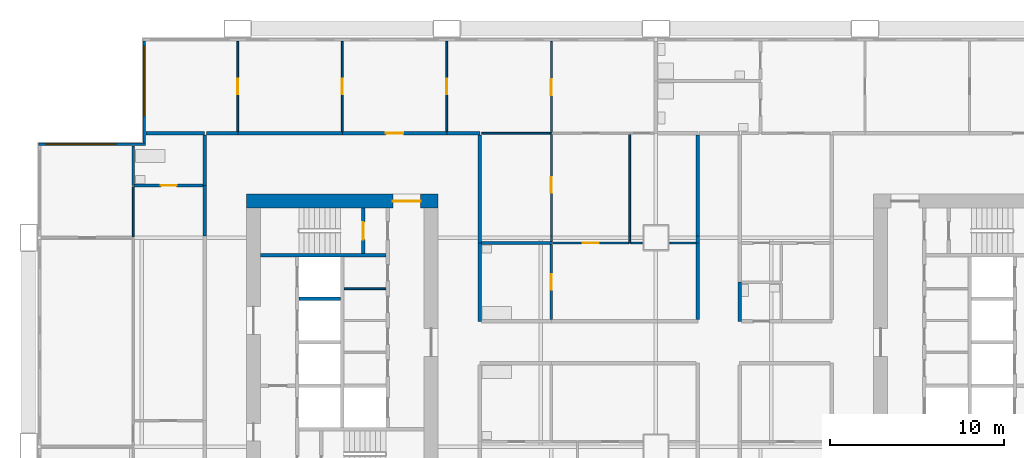
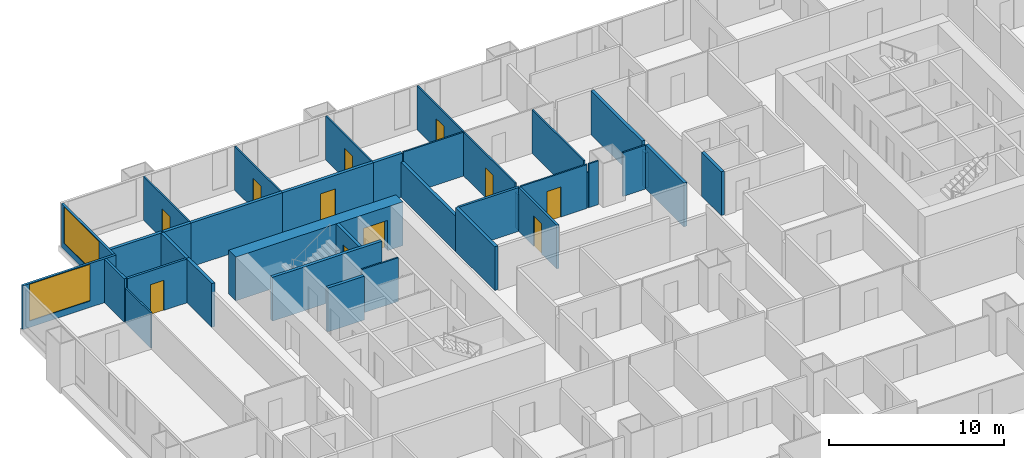
# One storey, part 8 of 14: 37 walls, 11 doors, 2 windows, 13 openings.
"""IFC4 building model written with IfcOpenShell, lengths in metres."""

from ifc_helpers import new_model, si_unit, direction, frame, frame_2d, origin, place, context, subcontext, project, spatial, rectangle, extrude, material, layer, layer_set, type_object, element, fill, save


model = new_model("IFC4")

# Units and contexts
model_context = context("Model", 3, precision=1e-05, world=origin(), true_north=direction((0.0, 1.0)))
body_context = subcontext(model_context, "Body", "Model", "MODEL_VIEW")
ifc_project = project(units=[si_unit("LENGTHUNIT", "METRE"), si_unit("AREAUNIT", "SQUARE_METRE"), si_unit("VOLUMEUNIT", "CUBIC_METRE"), si_unit("PLANEANGLEUNIT", "RADIAN"), si_unit("MASSUNIT", "GRAM", prefix="KILO")], contexts=[model_context])

# Site, building, storey
site_placement = place(None, origin())
site = spatial("IfcSite", under=ifc_project, at=site_placement, CompositionType="ELEMENT")
building_placement = place(site_placement, origin())
building = spatial("IfcBuilding", under=site, at=building_placement, Name="Kitamizu Gate Tower and Museum", CompositionType="ELEMENT")
storey_placement = place(building_placement, frame((0.0, 0.0, 74.85009765625)))
storey = spatial("IfcBuildingStorey", under=building, at=storey_placement, Name="L18", CompositionType="ELEMENT", Elevation=74.85009765625)

# Wall, opening, door
ifc_material_1 = material(Name="Concrete Fc60", Category="concrete")
ifc_layer_1 = layer(ifc_material_1, 0.800048828125)
ifc_layer_set_1 = layer_set([ifc_layer_1], Name="Concrete Fc60")
wall_type_1 = type_object("IfcWallType", Name="Core wall 800", PredefinedType="SHEAR", material=ifc_layer_set_1)
wall_1_placement = place(storey_placement, frame((12.5, 38.10009765625, 0.0), z_axis=(0.0, 0.0, 1.0), x_axis=(1.0, 0.0, 0.0)))
wall_1 = element("IfcWall", 1, at=wall_1_placement, inside=storey, type_object=wall_type_1, Name="Core wall WN", PredefinedType="SHEAR", context=body_context, shape_type="SweptSolid", body=[
    extrude(rectangle(XDim=11.0, YDim=0.800048828125, at=frame_2d((5.5, 0.0))), origin(), (0.0, 0.0, 1.0), 3.0498046875),
])
opening_1_placement = place(wall_1_placement, frame((8.39990234375, 0.0, 0.0)))
opening_1 = element("IfcOpeningElement", 2, at=opening_1_placement, cuts=wall_1, Name="Opening L18-078", PredefinedType="OPENING", context=body_context, shape_type="SweptSolid", body=[
    extrude(rectangle(XDim=1.60009765625, YDim=2.10009765625, at=frame_2d((0.800048828125, 1.050048828125))), frame((0.0, 0.41015625, 0.0), z_axis=(0.0, -1.0, 0.0), x_axis=(1.0, 0.0, 0.0)), (0.0, 0.0, 1.0), 0.820068359375),
])
ifc_material_2 = material(Name="Timber door set", Category="wood")
door_type_1 = type_object("IfcDoorType", Name="Entrance door 1600", OperationType="DOUBLE_DOOR_SINGLE_SWING", PredefinedType="DOOR", material=ifc_material_2)
door_1_placement = place(opening_1_placement, origin())
door_1 = element("IfcDoor", 3, at=door_1_placement, inside=storey, type_object=door_type_1, Name="Lobby door L18-078", OperationType="DOUBLE_DOOR_SINGLE_SWING", OverallHeight=2.10009765625, OverallWidth=1.60009765625, PredefinedType="DOOR", context=body_context, shape_type="SweptSolid", body=[
    extrude(rectangle(XDim=1.60009765625, YDim=2.10009765625, at=frame_2d((0.800048828125, 1.050048828125))), frame((0.0, 0.02490234375, 0.0), z_axis=(0.0, -1.0, 0.0), x_axis=(1.0, 0.0, 0.0)), (0.0, 0.0, 1.0), 0.050048828125),
])
fill(opening_1, door_1)

# Walls
ifc_material_3 = material(Name="Gypsum board on galvanised stud")
ifc_layer_2 = layer(ifc_material_3, 0.10009765625)
ifc_layer_set_2 = layer_set([ifc_layer_2], Name="Gypsum board on galvanised stud")
wall_type_2 = type_object("IfcWallType", Name="Partition 100", PredefinedType="PARTITIONING", material=ifc_layer_set_2)
wall_2_placement = place(storey_placement, frame((18.10009765625, 33.074951171875, 0.0), z_axis=(0.0, 0.0, 1.0), x_axis=(1.0, 0.0, 0.0)))
element("IfcWall", 4, at=wall_2_placement, inside=storey, type_object=wall_type_2, Name="Partition WPF3", PredefinedType="PARTITIONING", context=body_context, shape_type="SweptSolid", body=[
    extrude(rectangle(XDim=2.39990234375, YDim=0.10009765625, at=frame_2d((1.199951171875, 0.0))), origin(), (0.0, 0.0, 1.0), 3.0498046875),
])
ifc_material_4 = material(Name="Gypsum board on galvanised stud")
ifc_layer_3 = layer(ifc_material_4, 0.10009765625)
ifc_layer_set_3 = layer_set([ifc_layer_3], Name="Gypsum board on galvanised stud")
wall_type_3 = type_object("IfcWallType", Name="Partition 100 NOT RATED", PredefinedType="PARTITIONING", material=ifc_layer_set_3)
wall_3_placement = place(storey_placement, frame((6.0, 36.050048828125, 0.0), z_axis=(0.0, 0.0, 1.0), x_axis=(0.0, 1.0, 0.0)))
element("IfcWall", 5, at=wall_3_placement, inside=storey, type_object=wall_type_3, Name="Partition L18-060", PredefinedType="PARTITIONING", context=body_context, shape_type="SweptSolid", body=[
    extrude(rectangle(XDim=2.875, YDim=0.10009765625, at=frame_2d((1.4375, 0.0))), origin(), (0.0, 0.0, 1.0), 2.449951171875),
])

# Wall, opening, door
wall_4_placement = place(storey_placement, frame((12.0, 42.10009765625, 0.0), z_axis=(0.0, 0.0, 1.0), x_axis=(0.0, 1.0, 0.0)))
wall_4 = element("IfcWall", 6, at=wall_4_placement, inside=storey, type_object=wall_type_3, Name="Partition L18-140", PredefinedType="PARTITIONING", context=body_context, shape_type="SweptSolid", body=[
    extrude(rectangle(XDim=5.179931640625, YDim=0.10009765625, at=frame_2d((2.58984375, 0.0))), origin(), (0.0, 0.0, 1.0), 3.0498046875),
])
opening_2_placement = place(wall_4_placement, frame((2.139892578125, 0.0, 0.0)))
opening_2 = element("IfcOpeningElement", 7, at=opening_2_placement, cuts=wall_4, Name="Opening L18-059", PredefinedType="OPENING", context=body_context, shape_type="SweptSolid", body=[
    extrude(rectangle(XDim=0.89990234375, YDim=2.10009765625, at=frame_2d((0.449951171875, 1.050048828125))), frame((0.0, 0.06005859375, 0.0), z_axis=(0.0, -1.0, 0.0), x_axis=(1.0, 0.0, 0.0)), (0.0, 0.0, 1.0), 0.1201171875),
])
ifc_material_5 = material(Name="Timber door set", Category="wood")
door_type_2 = type_object("IfcDoorType", Name="Room door 900", OperationType="NOTDEFINED", PredefinedType="DOOR", material=ifc_material_5)
door_2_placement = place(opening_2_placement, origin())
door_2 = element("IfcDoor", 8, at=door_2_placement, inside=storey, type_object=door_type_2, Name="Door L18-059", OperationType="SINGLE_SWING_RIGHT", OverallHeight=2.10009765625, OverallWidth=0.89990234375, PredefinedType="DOOR", context=body_context, shape_type="SweptSolid", body=[
    extrude(rectangle(XDim=0.89990234375, YDim=2.10009765625, at=frame_2d((0.449951171875, 1.050048828125))), frame((0.0, 0.02490234375, 0.0), z_axis=(0.0, -1.0, 0.0), x_axis=(1.0, 0.0, 0.0)), (0.0, 0.0, 1.0), 0.050048828125),
])
fill(opening_2, door_2)

wall_5_placement = place(storey_placement, frame((18.0, 42.10009765625, 0.0), z_axis=(0.0, 0.0, 1.0), x_axis=(0.0, 1.0, 0.0)))
wall_5 = element("IfcWall", 9, at=wall_5_placement, inside=storey, type_object=wall_type_3, Name="Partition L18-142", PredefinedType="PARTITIONING", context=body_context, shape_type="SweptSolid", body=[
    extrude(rectangle(XDim=5.179931640625, YDim=0.10009765625, at=frame_2d((2.58984375, 0.0))), origin(), (0.0, 0.0, 1.0), 3.0498046875),
])
opening_3_placement = place(wall_5_placement, frame((2.139892578125, 0.0, 0.0)))
opening_3 = element("IfcOpeningElement", 10, at=opening_3_placement, cuts=wall_5, Name="Opening L18-056", PredefinedType="OPENING", context=body_context, shape_type="SweptSolid", body=[
    extrude(rectangle(XDim=0.89990234375, YDim=2.10009765625, at=frame_2d((0.449951171875, 1.050048828125))), frame((0.0, 0.06005859375, 0.0), z_axis=(0.0, -1.0, 0.0), x_axis=(1.0, 0.0, 0.0)), (0.0, 0.0, 1.0), 0.1201171875),
])
door_3_placement = place(opening_3_placement, origin())
door_3 = element("IfcDoor", 11, at=door_3_placement, inside=storey, type_object=door_type_2, Name="Door L18-056", OperationType="SINGLE_SWING_LEFT", OverallHeight=2.10009765625, OverallWidth=0.89990234375, PredefinedType="DOOR", context=body_context, shape_type="SweptSolid", body=[
    extrude(rectangle(XDim=0.89990234375, YDim=2.10009765625, at=frame_2d((0.449951171875, 1.050048828125))), frame((0.0, 0.02490234375, 0.0), z_axis=(0.0, -1.0, 0.0), x_axis=(1.0, 0.0, 0.0)), (0.0, 0.0, 1.0), 0.050048828125),
])
fill(opening_3, door_3)

wall_6_placement = place(storey_placement, frame((24.0, 42.10009765625, 0.0), z_axis=(0.0, 0.0, 1.0), x_axis=(0.0, 1.0, 0.0)))
wall_6 = element("IfcWall", 12, at=wall_6_placement, inside=storey, type_object=wall_type_3, Name="Partition L18-144", PredefinedType="PARTITIONING", context=body_context, shape_type="SweptSolid", body=[
    extrude(rectangle(XDim=5.179931640625, YDim=0.10009765625, at=frame_2d((2.58984375, 0.0))), origin(), (0.0, 0.0, 1.0), 3.0498046875),
])
opening_4_placement = place(wall_6_placement, frame((2.139892578125, 0.0, 0.0)))
opening_4 = element("IfcOpeningElement", 13, at=opening_4_placement, cuts=wall_6, Name="Opening L18-052", PredefinedType="OPENING", context=body_context, shape_type="SweptSolid", body=[
    extrude(rectangle(XDim=0.89990234375, YDim=2.10009765625, at=frame_2d((0.449951171875, 1.050048828125))), frame((0.0, 0.06005859375, 0.0), z_axis=(0.0, -1.0, 0.0), x_axis=(1.0, 0.0, 0.0)), (0.0, 0.0, 1.0), 0.1201171875),
])
door_4_placement = place(opening_4_placement, frame((0.89990234375, 0.0, 0.0), x_axis=(-1.0, 0.0, 0.0)))
door_4 = element("IfcDoor", 14, at=door_4_placement, inside=storey, type_object=door_type_2, Name="Door L18-052", OperationType="SINGLE_SWING_LEFT", OverallHeight=2.10009765625, OverallWidth=0.89990234375, PredefinedType="DOOR", context=body_context, shape_type="SweptSolid", body=[
    extrude(rectangle(XDim=0.89990234375, YDim=2.10009765625, at=frame_2d((0.449951171875, 1.050048828125))), frame((0.0, 0.02490234375, 0.0), z_axis=(0.0, -1.0, 0.0), x_axis=(1.0, 0.0, 0.0)), (0.0, 0.0, 1.0), 0.050048828125),
])
fill(opening_4, door_4)

wall_7_placement = place(storey_placement, frame((30.0, 42.0, 0.0), z_axis=(0.0, 0.0, 1.0), x_axis=(0.0, 1.0, 0.0)))
wall_7 = element("IfcWall", 15, at=wall_7_placement, inside=storey, type_object=wall_type_3, Name="Partition L18-146", PredefinedType="PARTITIONING", context=body_context, shape_type="SweptSolid", body=[
    extrude(rectangle(XDim=5.280029296875, YDim=0.10009765625, at=frame_2d((2.64013671875, 0.0))), origin(), (0.0, 0.0, 1.0), 3.0498046875),
])
opening_5_placement = place(wall_7_placement, frame((2.18994140625, 0.0, 0.0)))
opening_5 = element("IfcOpeningElement", 16, at=opening_5_placement, cuts=wall_7, Name="Opening L18-053", PredefinedType="OPENING", context=body_context, shape_type="SweptSolid", body=[
    extrude(rectangle(XDim=0.89990234375, YDim=2.10009765625, at=frame_2d((0.449951171875, 1.050048828125))), frame((0.0, 0.06005859375, 0.0), z_axis=(0.0, -1.0, 0.0), x_axis=(1.0, 0.0, 0.0)), (0.0, 0.0, 1.0), 0.1201171875),
])
door_5_placement = place(opening_5_placement, origin())
door_5 = element("IfcDoor", 17, at=door_5_placement, inside=storey, type_object=door_type_2, Name="Door L18-053", OperationType="SINGLE_SWING_LEFT", OverallHeight=2.10009765625, OverallWidth=0.89990234375, PredefinedType="DOOR", context=body_context, shape_type="SweptSolid", body=[
    extrude(rectangle(XDim=0.89990234375, YDim=2.10009765625, at=frame_2d((0.449951171875, 1.050048828125))), frame((0.0, 0.02490234375, 0.0), z_axis=(0.0, -1.0, 0.0), x_axis=(1.0, 0.0, 0.0)), (0.0, 0.0, 1.0), 0.050048828125),
])
fill(opening_5, door_5)

# Walls
wall_8_placement = place(storey_placement, frame((26.0, 42.0, 0.0), z_axis=(0.0, 0.0, 1.0), x_axis=(1.0, 0.0, 0.0)))
element("IfcWall", 18, at=wall_8_placement, inside=storey, type_object=wall_type_3, Name="Partition L18-147", PredefinedType="PARTITIONING", context=body_context, shape_type="SweptSolid", body=[
    extrude(rectangle(XDim=3.949951171875, YDim=0.10009765625, at=frame_2d((1.97509765625, 0.0))), origin(), (0.0, 0.0, 1.0), 3.0498046875),
])
wall_9_placement = place(storey_placement, frame((30.0, 35.77490234375, 0.0), z_axis=(0.0, 0.0, 1.0), x_axis=(0.0, 1.0, 0.0)))
element("IfcWall", 19, at=wall_9_placement, inside=storey, type_object=wall_type_3, Name="Partition L18-153", PredefinedType="PARTITIONING", context=body_context, shape_type="SweptSolid", body=[
    extrude(rectangle(XDim=0.3251953125, YDim=0.10009765625, at=frame_2d((0.16259765625, 0.0))), origin(), (0.0, 0.0, 1.0), 2.449951171875),
])

# Wall, opening, door
wall_10_placement = place(storey_placement, frame((30.0, 36.10009765625, 0.0), z_axis=(0.0, 0.0, 1.0), x_axis=(0.0, 1.0, 0.0)))
wall_10 = element("IfcWall", 20, at=wall_10_placement, inside=storey, type_object=wall_type_3, Name="Partition L18-154", PredefinedType="PARTITIONING", context=body_context, shape_type="SweptSolid", body=[
    extrude(rectangle(XDim=5.849853515625, YDim=0.10009765625, at=frame_2d((2.9248046875, 0.0))), origin(), (0.0, 0.0, 1.0), 3.0498046875),
])
opening_6_placement = place(wall_10_placement, frame((2.47509765625, 0.0, 0.0)))
opening_6 = element("IfcOpeningElement", 21, at=opening_6_placement, cuts=wall_10, Name="Opening L18-057", PredefinedType="OPENING", context=body_context, shape_type="SweptSolid", body=[
    extrude(rectangle(XDim=0.89990234375, YDim=2.10009765625, at=frame_2d((0.449951171875, 1.050048828125))), frame((0.0, 0.06005859375, 0.0), z_axis=(0.0, -1.0, 0.0), x_axis=(1.0, 0.0, 0.0)), (0.0, 0.0, 1.0), 0.1201171875),
])
door_6_placement = place(opening_6_placement, origin())
door_6 = element("IfcDoor", 22, at=door_6_placement, inside=storey, type_object=door_type_2, Name="Door L18-057", OperationType="SINGLE_SWING_RIGHT", OverallHeight=2.10009765625, OverallWidth=0.89990234375, PredefinedType="DOOR", context=body_context, shape_type="SweptSolid", body=[
    extrude(rectangle(XDim=0.89990234375, YDim=2.10009765625, at=frame_2d((0.449951171875, 1.050048828125))), frame((0.0, 0.02490234375, 0.0), z_axis=(0.0, -1.0, 0.0), x_axis=(1.0, 0.0, 0.0)), (0.0, 0.0, 1.0), 0.050048828125),
])
fill(opening_6, door_6)

# Walls
wall_11_placement = place(storey_placement, frame((34.5, 35.699951171875, 0.0), z_axis=(0.0, 0.0, 1.0), x_axis=(0.0, 1.0, 0.0)))
element("IfcWall", 23, at=wall_11_placement, inside=storey, type_object=wall_type_3, Name="Partition L18-157", PredefinedType="PARTITIONING", context=body_context, shape_type="SweptSolid", body=[
    extrude(rectangle(XDim=0.400146484375, YDim=0.10009765625, at=frame_2d((0.2001953125, 0.0))), origin(), (0.0, 0.0, 1.0), 2.449951171875),
])
wall_12_placement = place(storey_placement, frame((34.5, 36.10009765625, 0.0), z_axis=(0.0, 0.0, 1.0), x_axis=(0.0, 1.0, 0.0)))
element("IfcWall", 24, at=wall_12_placement, inside=storey, type_object=wall_type_3, Name="Partition L18-158", PredefinedType="PARTITIONING", context=body_context, shape_type="SweptSolid", body=[
    extrude(rectangle(XDim=5.849853515625, YDim=0.10009765625, at=frame_2d((2.9248046875, 0.0))), origin(), (0.0, 0.0, 1.0), 3.0498046875),
])

# Wall, opening, door
wall_13_placement = place(storey_placement, frame((30.074951171875, 35.699951171875, 0.0), z_axis=(0.0, 0.0, 1.0), x_axis=(1.0, 0.0, 0.0)))
wall_13 = element("IfcWall", 25, at=wall_13_placement, inside=storey, type_object=wall_type_3, Name="Partition L18-159", PredefinedType="PARTITIONING", context=body_context, shape_type="SweptSolid", body=[
    extrude(rectangle(XDim=4.375, YDim=0.10009765625, at=frame_2d((2.1875, 0.0))), origin(), (0.0, 0.0, 1.0), 3.0498046875),
])
opening_7_placement = place(wall_13_placement, frame((1.737548828125, 0.0, 0.0)))
opening_7 = element("IfcOpeningElement", 26, at=opening_7_placement, cuts=wall_13, Name="Opening L18-058", PredefinedType="OPENING", context=body_context, shape_type="SweptSolid", body=[
    extrude(rectangle(XDim=0.89990234375, YDim=2.10009765625, at=frame_2d((0.449951171875, 1.050048828125))), frame((0.0, 0.06005859375, 0.0), z_axis=(0.0, -1.0, 0.0), x_axis=(1.0, 0.0, 0.0)), (0.0, 0.0, 1.0), 0.1201171875),
])
door_7_placement = place(opening_7_placement, origin())
door_7 = element("IfcDoor", 27, at=door_7_placement, inside=storey, type_object=door_type_2, Name="Door L18-058", OperationType="SINGLE_SWING_LEFT", OverallHeight=2.10009765625, OverallWidth=0.89990234375, PredefinedType="DOOR", context=body_context, shape_type="SweptSolid", body=[
    extrude(rectangle(XDim=0.89990234375, YDim=2.10009765625, at=frame_2d((0.449951171875, 1.050048828125))), frame((0.0, 0.02490234375, 0.0), z_axis=(0.0, -1.0, 0.0), x_axis=(1.0, 0.0, 0.0)), (0.0, 0.0, 1.0), 0.050048828125),
])
fill(opening_7, door_7)

# Walls
wall_14_placement = place(storey_placement, frame((34.550048828125, 35.699951171875, 0.0), z_axis=(0.0, 0.0, 1.0), x_axis=(1.0, 0.0, 0.0)))
element("IfcWall", 28, at=wall_14_placement, inside=storey, type_object=wall_type_3, Name="Partition L18-160", PredefinedType="PARTITIONING", context=body_context, shape_type="SweptSolid", body=[
    extrude(rectangle(XDim=0.64990234375, YDim=0.10009765625, at=frame_2d((0.324951171875, 0.0))), origin(), (0.0, 0.0, 1.0), 3.0498046875),
])
wall_15_placement = place(storey_placement, frame((36.800048828125, 35.699951171875, 0.0), z_axis=(0.0, 0.0, 1.0), x_axis=(1.0, 0.0, 0.0)))
element("IfcWall", 29, at=wall_15_placement, inside=storey, type_object=wall_type_3, Name="Partition L18-161", PredefinedType="PARTITIONING", context=body_context, shape_type="SweptSolid", body=[
    extrude(rectangle(XDim=1.5, YDim=0.10009765625, at=frame_2d((0.75, 0.0))), origin(), (0.0, 0.0, 1.0), 3.0498046875),
])
ifc_material_6 = material(Name="Gypsum board on galvanised stud")
ifc_layer_4 = layer(ifc_material_6, 0.14990234375)
ifc_layer_set_4 = layer_set([ifc_layer_4], Name="Gypsum board on galvanised stud")
wall_type_4 = type_object("IfcWallType", Name="Partition 150", PredefinedType="PARTITIONING", material=ifc_layer_set_4)
wall_16_placement = place(storey_placement, frame((6.0, 39.0, 0.0), z_axis=(0.0, 0.0, 1.0), x_axis=(0.0, 1.0, 0.0)))
element("IfcWall", 30, at=wall_16_placement, inside=storey, type_object=wall_type_4, Name="Partition L18-061", PredefinedType="PARTITIONING", context=body_context, shape_type="SweptSolid", body=[
    extrude(rectangle(XDim=2.280029296875, YDim=0.14990234375, at=frame_2d((1.14013671875, 0.0))), origin(), (0.0, 0.0, 1.0), 3.0498046875),
])

# Wall, opening, door
wall_17_placement = place(storey_placement, frame((10.0, 39.0, 0.0), z_axis=(0.0, 0.0, 1.0), x_axis=(-1.0, 0.0, 0.0)))
wall_17 = element("IfcWall", 31, at=wall_17_placement, inside=storey, type_object=wall_type_4, Name="Partition L18-069", PredefinedType="PARTITIONING", context=body_context, shape_type="SweptSolid", body=[
    extrude(rectangle(XDim=3.925048828125, YDim=0.14990234375, at=frame_2d((1.96240234375, 0.0))), origin(), (0.0, 0.0, 1.0), 3.0498046875),
])
opening_8_placement = place(wall_17_placement, frame((1.512451171875, 0.0, 0.0)))
opening_8 = element("IfcOpeningElement", 32, at=opening_8_placement, cuts=wall_17, Name="Opening L18-025", PredefinedType="OPENING", context=body_context, shape_type="SweptSolid", body=[
    extrude(rectangle(XDim=0.89990234375, YDim=2.10009765625, at=frame_2d((0.449951171875, 1.050048828125))), frame((0.0, 0.0849609375, 0.0), z_axis=(0.0, -1.0, 0.0), x_axis=(1.0, 0.0, 0.0)), (0.0, 0.0, 1.0), 0.169921875),
])
ifc_material_7 = material(Name="Timber door set", Category="wood")
door_type_3 = type_object("IfcDoorType", Name="Bathroom door 900", OperationType="NOTDEFINED", PredefinedType="DOOR", material=ifc_material_7)
door_8_placement = place(opening_8_placement, frame((0.89990234375, 0.0, 0.0), x_axis=(-1.0, 0.0, 0.0)))
door_8 = element("IfcDoor", 33, at=door_8_placement, inside=storey, type_object=door_type_3, Name="Bathroom door L18-025", OperationType="SINGLE_SWING_LEFT", OverallHeight=2.10009765625, OverallWidth=0.89990234375, PredefinedType="DOOR", context=body_context, shape_type="SweptSolid", body=[
    extrude(rectangle(XDim=0.89990234375, YDim=2.10009765625, at=frame_2d((0.449951171875, 1.050048828125))), frame((0.0, 0.02490234375, 0.0), z_axis=(0.0, -1.0, 0.0), x_axis=(1.0, 0.0, 0.0)), (0.0, 0.0, 1.0), 0.050048828125),
])
fill(opening_8, door_8)

# Wall
wall_18_placement = place(storey_placement, frame((26.0, 35.699951171875, 0.0), z_axis=(0.0, 0.0, 1.0), x_axis=(1.0, 0.0, 0.0)))
element("IfcWall", 34, at=wall_18_placement, inside=storey, type_object=wall_type_4, Name="Partition L18-155", PredefinedType="PARTITIONING", context=body_context, shape_type="SweptSolid", body=[
    extrude(rectangle(XDim=4.0, YDim=0.14990234375, at=frame_2d((2.0, 0.0))), origin(), (0.0, 0.0, 1.0), 3.0498046875),
])

# Wall, opening, door
wall_19_placement = place(storey_placement, frame((30.0, 31.300048828125, 0.0), z_axis=(0.0, 0.0, 1.0), x_axis=(0.0, 1.0, 0.0)))
wall_19 = element("IfcWall", 35, at=wall_19_placement, inside=storey, type_object=wall_type_4, Name="Partition L18-165", PredefinedType="PARTITIONING", context=body_context, shape_type="SweptSolid", body=[
    extrude(rectangle(XDim=4.324951171875, YDim=0.14990234375, at=frame_2d((2.16259765625, 0.0))), origin(), (0.0, 0.0, 1.0), 3.0498046875),
])
opening_9_placement = place(wall_19_placement, frame((1.71240234375, 0.0, 0.0)))
opening_9 = element("IfcOpeningElement", 36, at=opening_9_placement, cuts=wall_19, Name="Opening L18-060", PredefinedType="OPENING", context=body_context, shape_type="SweptSolid", body=[
    extrude(rectangle(XDim=0.89990234375, YDim=2.10009765625, at=frame_2d((0.449951171875, 1.050048828125))), frame((0.0, 0.0849609375, 0.0), z_axis=(0.0, -1.0, 0.0), x_axis=(1.0, 0.0, 0.0)), (0.0, 0.0, 1.0), 0.169921875),
])
door_9_placement = place(opening_9_placement, origin())
door_9 = element("IfcDoor", 37, at=door_9_placement, inside=storey, type_object=door_type_3, Name="Bathroom door L18-060", OperationType="SINGLE_SWING_LEFT", OverallHeight=2.10009765625, OverallWidth=0.89990234375, PredefinedType="DOOR", context=body_context, shape_type="SweptSolid", body=[
    extrude(rectangle(XDim=0.89990234375, YDim=2.10009765625, at=frame_2d((0.449951171875, 1.050048828125))), frame((0.0, 0.02490234375, 0.0), z_axis=(0.0, -1.0, 0.0), x_axis=(1.0, 0.0, 0.0)), (0.0, 0.0, 1.0), 0.050048828125),
])
fill(opening_9, door_9)

# Walls
ifc_material_8 = material(Name="Gypsum board on galvanised stud")
ifc_layer_5 = layer(ifc_material_8, 0.199951171875)
ifc_layer_set_5 = layer_set([ifc_layer_5], Name="Gypsum board on galvanised stud")
wall_type_5 = type_object("IfcWallType", Name="Partition 200", PredefinedType="PARTITIONING", material=ifc_layer_set_5)
wall_20_placement = place(storey_placement, frame((10.10009765625, 36.10009765625, 0.0), z_axis=(0.0, 0.0, 1.0), x_axis=(0.0, 1.0, 0.0)))
element("IfcWall", 38, at=wall_20_placement, inside=storey, type_object=wall_type_5, Name="Partition L18-071", PredefinedType="PARTITIONING", context=body_context, shape_type="SweptSolid", body=[
    extrude(rectangle(XDim=2.89990234375, YDim=0.199951171875, at=frame_2d((1.449951171875, 0.0))), origin(), (0.0, 0.0, 1.0), 3.0498046875),
])
wall_21_placement = place(storey_placement, frame((10.10009765625, 42.0, 0.0), z_axis=(0.0, 0.0, 1.0), x_axis=(-1.0, 0.0, 0.0)))
element("IfcWall", 39, at=wall_21_placement, inside=storey, type_object=wall_type_5, Name="Partition L18-072", PredefinedType="PARTITIONING", context=body_context, shape_type="SweptSolid", body=[
    extrude(rectangle(XDim=3.380126953125, YDim=0.199951171875, at=frame_2d((1.68994140625, 0.0))), origin(), (0.0, 0.0, 1.0), 3.0498046875),
])
wall_22_placement = place(storey_placement, frame((10.10009765625, 39.0, 0.0), z_axis=(0.0, 0.0, 1.0), x_axis=(0.0, 1.0, 0.0)))
element("IfcWall", 40, at=wall_22_placement, inside=storey, type_object=wall_type_5, Name="Partition L18-073", PredefinedType="PARTITIONING", context=body_context, shape_type="SweptSolid", body=[
    extrude(rectangle(XDim=2.89990234375, YDim=0.199951171875, at=frame_2d((1.449951171875, 0.0))), origin(), (0.0, 0.0, 1.0), 3.0498046875),
])
wall_23_placement = place(storey_placement, frame((10.199951171875, 42.0, 0.0), z_axis=(0.0, 0.0, 1.0), x_axis=(1.0, 0.0, 0.0)))
element("IfcWall", 41, at=wall_23_placement, inside=storey, type_object=wall_type_5, Name="Partition L18-141", PredefinedType="PARTITIONING", context=body_context, shape_type="SweptSolid", body=[
    extrude(rectangle(XDim=1.800048828125, YDim=0.199951171875, at=frame_2d((0.89990234375, 0.0))), origin(), (0.0, 0.0, 1.0), 3.0498046875),
])
wall_24_placement = place(storey_placement, frame((12.0, 42.0, 0.0), z_axis=(0.0, 0.0, 1.0), x_axis=(1.0, 0.0, 0.0)))
element("IfcWall", 42, at=wall_24_placement, inside=storey, type_object=wall_type_5, Name="Partition L18-143", PredefinedType="PARTITIONING", context=body_context, shape_type="SweptSolid", body=[
    extrude(rectangle(XDim=6.0, YDim=0.199951171875, at=frame_2d((3.0, 0.0))), origin(), (0.0, 0.0, 1.0), 3.0498046875),
])

# Wall, opening, door
wall_25_placement = place(storey_placement, frame((18.0, 42.0, 0.0), z_axis=(0.0, 0.0, 1.0), x_axis=(1.0, 0.0, 0.0)))
wall_25 = element("IfcWall", 43, at=wall_25_placement, inside=storey, type_object=wall_type_5, Name="Partition L18-145", PredefinedType="PARTITIONING", context=body_context, shape_type="SweptSolid", body=[
    extrude(rectangle(XDim=6.0, YDim=0.199951171875, at=frame_2d((3.0, 0.0))), origin(), (0.0, 0.0, 1.0), 3.0498046875),
])
opening_10_placement = place(wall_25_placement, frame((2.5, 0.0, 0.0)))
opening_10 = element("IfcOpeningElement", 44, at=opening_10_placement, cuts=wall_25, Name="Opening L18-051", PredefinedType="OPENING", context=body_context, shape_type="SweptSolid", body=[
    extrude(rectangle(XDim=1.0, YDim=2.10009765625, at=frame_2d((0.5, 1.050048828125))), frame((0.0, 0.10986328125, 0.0), z_axis=(0.0, -1.0, 0.0), x_axis=(1.0, 0.0, 0.0)), (0.0, 0.0, 1.0), 0.219970703125),
])
ifc_material_9 = material(Name="Timber door set", Category="wood")
door_type_4 = type_object("IfcDoorType", Name="Flat entrance door 1000", OperationType="NOTDEFINED", PredefinedType="DOOR", material=ifc_material_9)
door_10_placement = place(opening_10_placement, origin())
door_10 = element("IfcDoor", 45, at=door_10_placement, inside=storey, type_object=door_type_4, Name="Flat entrance door L18-051", OperationType="SINGLE_SWING_LEFT", OverallHeight=2.10009765625, OverallWidth=1.0, PredefinedType="DOOR", context=body_context, shape_type="SweptSolid", body=[
    extrude(rectangle(XDim=1.0, YDim=2.10009765625, at=frame_2d((0.5, 1.050048828125))), frame((0.0, 0.02490234375, 0.0), z_axis=(0.0, -1.0, 0.0), x_axis=(1.0, 0.0, 0.0)), (0.0, 0.0, 1.0), 0.050048828125),
])
fill(opening_10, door_10)

# Walls
wall_26_placement = place(storey_placement, frame((24.0, 42.0, 0.0), z_axis=(0.0, 0.0, 1.0), x_axis=(1.0, 0.0, 0.0)))
element("IfcWall", 46, at=wall_26_placement, inside=storey, type_object=wall_type_5, Name="Partition L18-148", PredefinedType="PARTITIONING", context=body_context, shape_type="SweptSolid", body=[
    extrude(rectangle(XDim=1.89990234375, YDim=0.199951171875, at=frame_2d((0.949951171875, 0.0))), origin(), (0.0, 0.0, 1.0), 3.0498046875),
])
wall_27_placement = place(storey_placement, frame((25.89990234375, 41.89990234375, 0.0), z_axis=(0.0, 0.0, 1.0), x_axis=(0.0, -1.0, 0.0)))
element("IfcWall", 47, at=wall_27_placement, inside=storey, type_object=wall_type_5, Name="Partition L18-156", PredefinedType="PARTITIONING", context=body_context, shape_type="SweptSolid", body=[
    extrude(rectangle(XDim=6.199951171875, YDim=0.199951171875, at=frame_2d((3.10009765625, 0.0))), origin(), (0.0, 0.0, 1.0), 2.449951171875),
])
wall_28_placement = place(storey_placement, frame((38.39990234375, 35.699951171875, 0.0), z_axis=(0.0, 0.0, 1.0), x_axis=(0.0, 1.0, 0.0)))
element("IfcWall", 48, at=wall_28_placement, inside=storey, type_object=wall_type_5, Name="Partition L18-163", PredefinedType="PARTITIONING", context=body_context, shape_type="SweptSolid", body=[
    extrude(rectangle(XDim=0.400146484375, YDim=0.199951171875, at=frame_2d((0.2001953125, 0.0))), origin(), (0.0, 0.0, 1.0), 2.449951171875),
])
wall_29_placement = place(storey_placement, frame((38.39990234375, 36.10009765625, 0.0), z_axis=(0.0, 0.0, 1.0), x_axis=(0.0, 1.0, 0.0)))
element("IfcWall", 49, at=wall_29_placement, inside=storey, type_object=wall_type_5, Name="Partition L18-164", PredefinedType="PARTITIONING", context=body_context, shape_type="SweptSolid", body=[
    extrude(rectangle(XDim=5.7998046875, YDim=0.199951171875, at=frame_2d((2.89990234375, 0.0))), origin(), (0.0, 0.0, 1.0), 3.0498046875),
])
wall_30_placement = place(storey_placement, frame((25.89990234375, 35.699951171875, 0.0), z_axis=(0.0, 0.0, 1.0), x_axis=(0.0, -1.0, 0.0)))
element("IfcWall", 50, at=wall_30_placement, inside=storey, type_object=wall_type_5, Name="Partition L18-166", PredefinedType="PARTITIONING", context=body_context, shape_type="SweptSolid", body=[
    extrude(rectangle(XDim=4.5, YDim=0.199951171875, at=frame_2d((2.25, 0.0))), origin(), (0.0, 0.0, 1.0), 3.0498046875),
])
wall_31_placement = place(storey_placement, frame((38.39990234375, 31.300048828125, 0.0), z_axis=(0.0, 0.0, 1.0), x_axis=(0.0, 1.0, 0.0)))
element("IfcWall", 51, at=wall_31_placement, inside=storey, type_object=wall_type_5, Name="Partition L18-170", PredefinedType="PARTITIONING", context=body_context, shape_type="SweptSolid", body=[
    extrude(rectangle(XDim=4.39990234375, YDim=0.199951171875, at=frame_2d((2.199951171875, 0.0))), origin(), (0.0, 0.0, 1.0), 3.0498046875),
])
wall_32_placement = place(storey_placement, frame((40.800048828125, 33.449951171875, 0.0), z_axis=(0.0, 0.0, 1.0), x_axis=(0.0, -1.0, 0.0)))
element("IfcWall", 52, at=wall_32_placement, inside=storey, type_object=wall_type_5, Name="Partition L18-191", PredefinedType="PARTITIONING", context=body_context, shape_type="SweptSolid", body=[
    extrude(rectangle(XDim=2.25, YDim=0.199951171875, at=frame_2d((1.125, 0.0))), origin(), (0.0, 0.0, 1.0), 3.0498046875),
])
ifc_material_10 = material(Name="Concrete Fc42", Category="concrete")
ifc_layer_6 = layer(ifc_material_10, 0.199951171875)
ifc_layer_set_6 = layer_set([ifc_layer_6], Name="Concrete Fc42")
wall_type_6 = type_object("IfcWallType", Name="Shaft wall 200", PredefinedType="SOLIDWALL", material=ifc_layer_set_6)
wall_33_placement = place(storey_placement, frame((13.300048828125, 35.0, 0.0), z_axis=(0.0, 0.0, 1.0), x_axis=(1.0, 0.0, 0.0)))
element("IfcWall", 53, at=wall_33_placement, inside=storey, type_object=wall_type_6, Name="Shaft wall WNB", PredefinedType="SOLIDWALL", context=body_context, shape_type="SweptSolid", body=[
    extrude(rectangle(XDim=7.199951171875, YDim=0.199951171875, at=frame_2d((3.60009765625, 0.0))), origin(), (0.0, 0.0, 1.0), 3.0498046875),
])

# Wall, opening, door
wall_34_placement = place(storey_placement, frame((19.199951171875, 35.10009765625, 0.0), z_axis=(0.0, 0.0, 1.0), x_axis=(0.0, 1.0, 0.0)))
wall_34 = element("IfcWall", 54, at=wall_34_placement, inside=storey, type_object=wall_type_6, Name="Shaft wall WNZ", PredefinedType="SOLIDWALL", context=body_context, shape_type="SweptSolid", body=[
    extrude(rectangle(XDim=2.599853515625, YDim=0.199951171875, at=frame_2d((1.2998046875, 0.0))), origin(), (0.0, 0.0, 1.0), 3.0498046875),
])
opening_11_placement = place(wall_34_placement, frame((0.800048828125, 0.0, 0.0)))
opening_11 = element("IfcOpeningElement", 55, at=opening_11_placement, cuts=wall_34, Name="Opening L18-074", PredefinedType="OPENING", context=body_context, shape_type="SweptSolid", body=[
    extrude(rectangle(XDim=1.0, YDim=2.10009765625, at=frame_2d((0.5, 1.050048828125))), frame((0.0, 0.10986328125, 0.0), z_axis=(0.0, -1.0, 0.0), x_axis=(1.0, 0.0, 0.0)), (0.0, 0.0, 1.0), 0.219970703125),
])
ifc_material_11 = material(Name="Hollow metal door set")
door_type_5 = type_object("IfcDoorType", Name="Fire door 1000", OperationType="NOTDEFINED", PredefinedType="DOOR", material=ifc_material_11)
door_11_placement = place(opening_11_placement, origin())
door_11 = element("IfcDoor", 56, at=door_11_placement, inside=storey, type_object=door_type_5, Name="Stair door L18-074", OperationType="SINGLE_SWING_LEFT", OverallHeight=2.10009765625, OverallWidth=1.0, PredefinedType="DOOR", context=body_context, shape_type="SweptSolid", body=[
    extrude(rectangle(XDim=1.0, YDim=2.10009765625, at=frame_2d((0.5, 1.050048828125))), frame((0.0, 0.02490234375, 0.0), z_axis=(0.0, -1.0, 0.0), x_axis=(1.0, 0.0, 0.0)), (0.0, 0.0, 1.0), 0.050048828125),
])
fill(opening_11, door_11)

# Wall
wall_35_placement = place(storey_placement, frame((15.5, 32.5, 0.0), z_axis=(0.0, 0.0, 1.0), x_axis=(1.0, 0.0, 0.0)))
element("IfcWall", 57, at=wall_35_placement, inside=storey, type_object=wall_type_6, Name="Shaft wall WDVW2", PredefinedType="SOLIDWALL", context=body_context, shape_type="SweptSolid", body=[
    extrude(rectangle(XDim=2.39990234375, YDim=0.199951171875, at=frame_2d((1.199951171875, 0.0))), origin(), (0.0, 0.0, 1.0), 3.0498046875),
])

# Wall, opening, window
ifc_material_12 = material(Name="Bronze anodised aluminium frame with insulated spandrel and tinted glass", Category="aluminium")
ifc_layer_7 = layer(ifc_material_12, 0.14990234375)
ifc_layer_set_7 = layer_set([ifc_layer_7], Name="Bronze anodised aluminium frame with insulated spandrel and tinted glass")
wall_type_7 = type_object("IfcWallType", Name="WINDOW WALL 150 BRONZE FRAME EI 30", PredefinedType="ELEMENTEDWALL", material=ifc_layer_set_7)
wall_36_placement = place(storey_placement, frame((6.635009765625, 41.43994140625, 0.0), z_axis=(0.0, 0.0, 1.0), x_axis=(0.0, 1.0, 0.0)))
wall_36 = element("IfcWall", 58, at=wall_36_placement, inside=storey, type_object=wall_type_7, Name="Window wall west L18", PredefinedType="ELEMENTEDWALL", context=body_context, shape_type="SweptSolid", body=[
    extrude(rectangle(XDim=5.85009765625, YDim=0.14990234375, at=frame_2d((2.925048828125, 0.0))), origin(), (0.0, 0.0, 1.0), 3.0498046875),
])
opening_12_placement = place(wall_36_placement, frame((1.56005859375, 0.0, 0.449951171875)))
opening_12 = element("IfcOpeningElement", 59, at=opening_12_placement, cuts=wall_36, Name="Opening W16", PredefinedType="OPENING", context=body_context, shape_type="SweptSolid", body=[
    extrude(rectangle(XDim=4.0, YDim=2.550048828125, at=frame_2d((2.0, 1.27490234375))), frame((0.0, 0.0849609375, 0.0), z_axis=(0.0, -1.0, 0.0), x_axis=(1.0, 0.0, 0.0)), (0.0, 0.0, 1.0), 0.169921875),
])
ifc_material_13 = material(Name="Bronze anodised aluminium frame, tinted triple glazing", Category="aluminium")
window_type = type_object("IfcWindowType", Name="WINDOW 4000 x 2550 SILL 450", PartitioningType="SINGLE_PANEL", PredefinedType="WINDOW", material=ifc_material_13)
window_1_placement = place(opening_12_placement, origin())
window_1 = element("IfcWindow", 60, at=window_1_placement, inside=storey, type_object=window_type, Name="Window W16 L18", OverallHeight=2.550048828125, OverallWidth=4.0, PartitioningType="SINGLE_PANEL", PredefinedType="WINDOW", context=body_context, shape_type="SweptSolid", body=[
    extrude(rectangle(XDim=4.0, YDim=2.550048828125, at=frame_2d((2.0, 1.27490234375))), frame((0.0, 0.030029296875, 0.0), z_axis=(0.0, -1.0, 0.0), x_axis=(1.0, 0.0, 0.0)), (0.0, 0.0, 1.0), 0.06005859375),
])
fill(opening_12, window_1)

wall_37_placement = place(storey_placement, frame((0.56005859375, 41.364990234375, 0.0), z_axis=(0.0, 0.0, 1.0), x_axis=(1.0, 0.0, 0.0)))
wall_37 = element("IfcWall", 61, at=wall_37_placement, inside=storey, type_object=wall_type_7, Name="Window wall north L18", PredefinedType="ELEMENTEDWALL", context=body_context, shape_type="SweptSolid", body=[
    extrude(rectangle(XDim=6.14990234375, YDim=0.14990234375, at=frame_2d((3.074951171875, 0.0))), origin(), (0.0, 0.0, 1.0), 3.0498046875),
])
opening_13_placement = place(wall_37_placement, frame((0.43994140625, 0.0, 0.449951171875)))
opening_13 = element("IfcOpeningElement", 62, at=opening_13_placement, cuts=wall_37, Name="Opening W16", PredefinedType="OPENING", context=body_context, shape_type="SweptSolid", body=[
    extrude(rectangle(XDim=4.0, YDim=2.550048828125, at=frame_2d((2.0, 1.27490234375))), frame((0.0, 0.0849609375, 0.0), z_axis=(0.0, -1.0, 0.0), x_axis=(1.0, 0.0, 0.0)), (0.0, 0.0, 1.0), 0.169921875),
])
window_2_placement = place(opening_13_placement, origin())
window_2 = element("IfcWindow", 63, at=window_2_placement, inside=storey, type_object=window_type, Name="Window W16 L18", OverallHeight=2.550048828125, OverallWidth=4.0, PartitioningType="SINGLE_PANEL", PredefinedType="WINDOW", context=body_context, shape_type="SweptSolid", body=[
    extrude(rectangle(XDim=4.0, YDim=2.550048828125, at=frame_2d((2.0, 1.27490234375))), frame((0.0, 0.030029296875, 0.0), z_axis=(0.0, -1.0, 0.0), x_axis=(1.0, 0.0, 0.0)), (0.0, 0.0, 1.0), 0.06005859375),
])
fill(opening_13, window_2)

save(model, "model.ifc")
